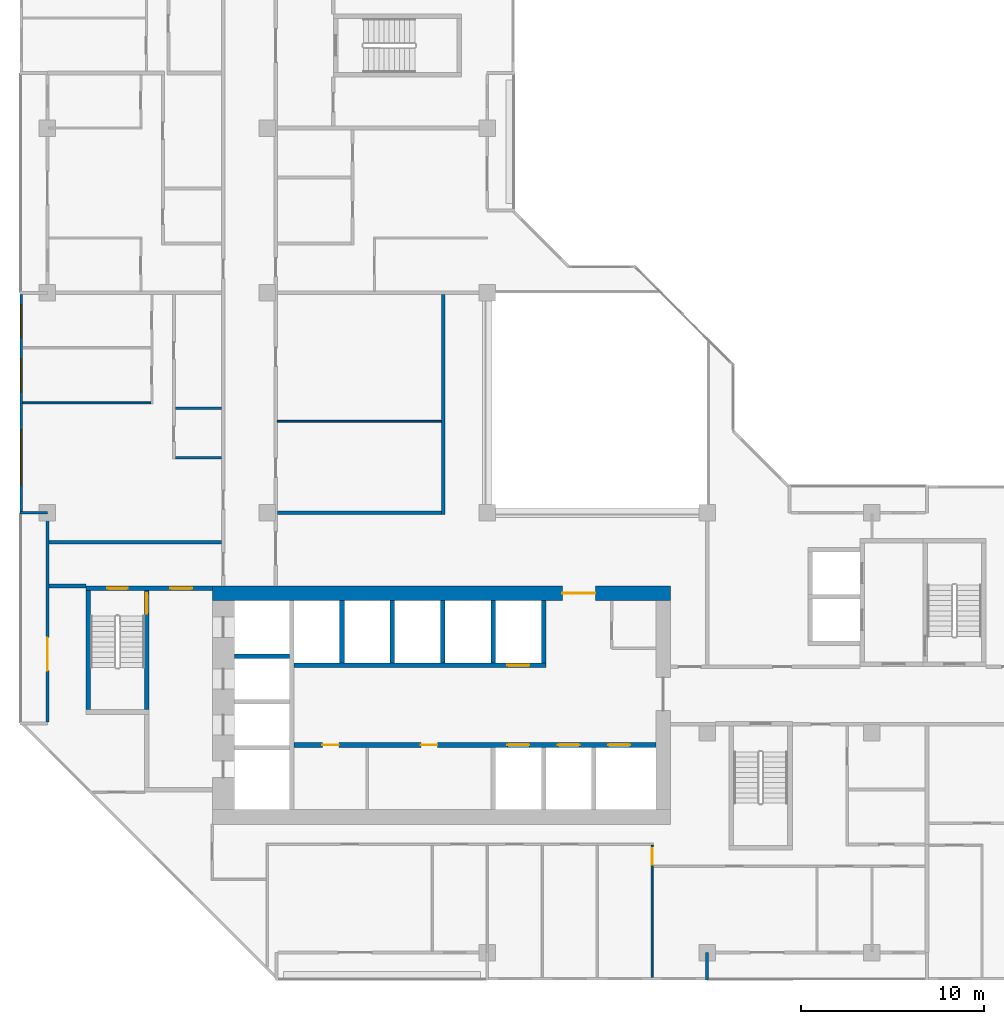
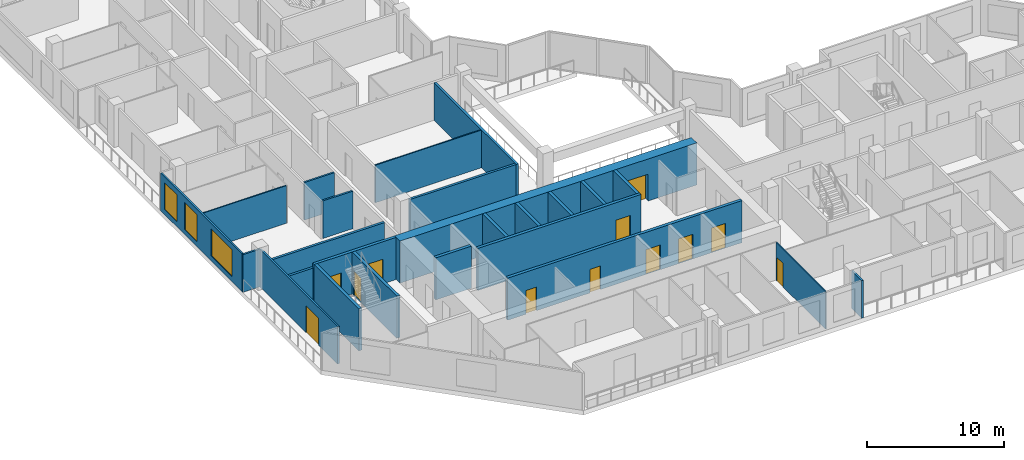
# One storey, part 5 of 14: 25 walls, 12 doors, 3 windows, 15 openings.
"""IFC4 building model written with IfcOpenShell, lengths in metres."""

from ifc_helpers import new_model, si_unit, direction, frame, frame_2d, origin, place, context, subcontext, project, spatial, rectangle, extrude, material, layer, layer_set, type_object, element, fill, save


model = new_model("IFC4")

# Units and contexts
model_context = context("Model", 3, precision=1e-05, world=origin(), true_north=direction((0.0, 1.0)))
body_context = subcontext(model_context, "Body", "Model", "MODEL_VIEW")
ifc_project = project(units=[si_unit("LENGTHUNIT", "METRE"), si_unit("AREAUNIT", "SQUARE_METRE"), si_unit("VOLUMEUNIT", "CUBIC_METRE"), si_unit("PLANEANGLEUNIT", "RADIAN"), si_unit("MASSUNIT", "GRAM", prefix="KILO")], contexts=[model_context])

# Site, building, storey
site_placement = place(None, origin())
site = spatial("IfcSite", under=ifc_project, at=site_placement, CompositionType="ELEMENT")
building_placement = place(site_placement, origin())
building = spatial("IfcBuilding", under=site, at=building_placement, Name="Chenar Terraces", CompositionType="ELEMENT")
storey_placement = place(building_placement, frame((0.0, 0.0, 183.64990234375)))
storey = spatial("IfcBuildingStorey", under=building, at=storey_placement, Name="L42", CompositionType="ELEMENT", Elevation=183.64990234375)

# Wall, openings, doors
ifc_material_1 = material(Name="Concrete C60/75", Category="concrete")
ifc_layer_1 = layer(ifc_material_1, 0.25)
ifc_layer_set_1 = layer_set([ifc_layer_1], Name="Concrete C60/75")
wall_type_1 = type_object("IfcWallType", Name="Core wall 250 Concrete C60/75", PredefinedType="SHEAR", material=ifc_layer_set_1)
wall_1_placement = place(storey_placement, frame((13.449951171875, 11.324951171875, 0.0), z_axis=(0.0, 0.0, 1.0), x_axis=(1.0, 0.0, 0.0)))
wall_1 = element("IfcWall", 1, at=wall_1_placement, inside=storey, type_object=wall_type_1, Name="Core wall SF L42", PredefinedType="SHEAR", context=body_context, shape_type="SweptSolid", body=[
    extrude(rectangle(XDim=19.75, YDim=0.25, at=frame_2d((9.875, 0.0))), origin(), (0.0, 0.0, 1.0), 3.75),
])
opening_1_placement = place(wall_1_placement, frame((11.64990234375, 0.0, 0.0)))
opening_1 = element("IfcOpeningElement", 2, at=opening_1_placement, cuts=wall_1, Name="Opening DL42-LD1", PredefinedType="OPENING", context=body_context, shape_type="SweptSolid", body=[
    extrude(rectangle(XDim=1.199951171875, YDim=2.199951171875, at=frame_2d((0.60009765625, 1.10009765625))), frame((0.0, 0.135009765625, 0.0), z_axis=(0.0, -1.0, 0.0), x_axis=(1.0, 0.0, 0.0)), (0.0, 0.0, 1.0), 0.27001953125),
])
opening_2_placement = place(wall_1_placement, frame((14.39990234375, 0.0, 0.0)))
opening_2 = element("IfcOpeningElement", 3, at=opening_2_placement, cuts=wall_1, Name="Opening DL42-LD2", PredefinedType="OPENING", context=body_context, shape_type="SweptSolid", body=[
    extrude(rectangle(XDim=1.199951171875, YDim=2.199951171875, at=frame_2d((0.60009765625, 1.10009765625))), frame((0.0, 0.135009765625, 0.0), z_axis=(0.0, -1.0, 0.0), x_axis=(1.0, 0.0, 0.0)), (0.0, 0.0, 1.0), 0.27001953125),
])
opening_3_placement = place(wall_1_placement, frame((17.14990234375, 0.0, 0.0)))
opening_3 = element("IfcOpeningElement", 4, at=opening_3_placement, cuts=wall_1, Name="Opening DL42-LD3", PredefinedType="OPENING", context=body_context, shape_type="SweptSolid", body=[
    extrude(rectangle(XDim=1.199951171875, YDim=2.199951171875, at=frame_2d((0.60009765625, 1.10009765625))), frame((0.0, 0.135009765625, 0.0), z_axis=(0.0, -1.0, 0.0), x_axis=(1.0, 0.0, 0.0)), (0.0, 0.0, 1.0), 0.27001953125),
])
opening_4_placement = place(wall_1_placement, frame((1.550048828125, 0.0, 0.0)))
opening_4 = element("IfcOpeningElement", 5, at=opening_4_placement, cuts=wall_1, Name="Opening DL42-C12", PredefinedType="OPENING", context=body_context, shape_type="SweptSolid", body=[
    extrude(rectangle(XDim=0.89990234375, YDim=2.10009765625, at=frame_2d((0.449951171875, 1.050048828125))), frame((0.0, 0.135009765625, 0.0), z_axis=(0.0, -1.0, 0.0), x_axis=(1.0, 0.0, 0.0)), (0.0, 0.0, 1.0), 0.27001953125),
])
opening_5_placement = place(wall_1_placement, frame((6.925048828125, 0.0, 0.0)))
opening_5 = element("IfcOpeningElement", 6, at=opening_5_placement, cuts=wall_1, Name="Opening DL42-C13", PredefinedType="OPENING", context=body_context, shape_type="SweptSolid", body=[
    extrude(rectangle(XDim=0.89990234375, YDim=2.10009765625, at=frame_2d((0.449951171875, 1.050048828125))), frame((0.0, 0.135009765625, 0.0), z_axis=(0.0, -1.0, 0.0), x_axis=(1.0, 0.0, 0.0)), (0.0, 0.0, 1.0), 0.27001953125),
])
ifc_material_2 = material(Name="Stainless steel", Category="steel")
door_type_1 = type_object("IfcDoorType", Name="Lift landing door 1200 x 2200 sliding", OperationType="DOUBLE_DOOR_SLIDING", PredefinedType="DOOR", material=ifc_material_2)
door_1_placement = place(opening_1_placement, origin())
door_1 = element("IfcDoor", 7, at=door_1_placement, inside=storey, type_object=door_type_1, Name="Landing door M1", OperationType="DOUBLE_DOOR_SLIDING", OverallHeight=2.199951171875, OverallWidth=1.199951171875, PredefinedType="DOOR", context=body_context, shape_type="SweptSolid", body=[
    extrude(rectangle(XDim=1.199951171875, YDim=2.199951171875, at=frame_2d((0.60009765625, 1.10009765625))), frame((0.0, 0.02490234375, 0.0), z_axis=(0.0, -1.0, 0.0), x_axis=(1.0, 0.0, 0.0)), (0.0, 0.0, 1.0), 0.050048828125),
])
fill(opening_1, door_1)
door_2_placement = place(opening_2_placement, origin())
door_2 = element("IfcDoor", 8, at=door_2_placement, inside=storey, type_object=door_type_1, Name="Landing door M2", OperationType="DOUBLE_DOOR_SLIDING", OverallHeight=2.199951171875, OverallWidth=1.199951171875, PredefinedType="DOOR", context=body_context, shape_type="SweptSolid", body=[
    extrude(rectangle(XDim=1.199951171875, YDim=2.199951171875, at=frame_2d((0.60009765625, 1.10009765625))), frame((0.0, 0.02490234375, 0.0), z_axis=(0.0, -1.0, 0.0), x_axis=(1.0, 0.0, 0.0)), (0.0, 0.0, 1.0), 0.050048828125),
])
fill(opening_2, door_2)
door_3_placement = place(opening_3_placement, origin())
door_3 = element("IfcDoor", 9, at=door_3_placement, inside=storey, type_object=door_type_1, Name="Landing door M3", OperationType="DOUBLE_DOOR_SLIDING", OverallHeight=2.199951171875, OverallWidth=1.199951171875, PredefinedType="DOOR", context=body_context, shape_type="SweptSolid", body=[
    extrude(rectangle(XDim=1.199951171875, YDim=2.199951171875, at=frame_2d((0.60009765625, 1.10009765625))), frame((0.0, 0.02490234375, 0.0), z_axis=(0.0, -1.0, 0.0), x_axis=(1.0, 0.0, 0.0)), (0.0, 0.0, 1.0), 0.050048828125),
])
fill(opening_3, door_3)
ifc_material_3 = material(Name="Steel-framed fire-resisting door leaf", Category="steel")
door_type_2 = type_object("IfcDoorType", Name="Riser fire door FD60 900 x 2100", OperationType="SINGLE_SWING_LEFT", PredefinedType="DOOR", material=ifc_material_3)
door_4_placement = place(opening_4_placement, frame((0.89990234375, 0.0, 0.0), z_axis=(0.0, 0.0, 1.0), x_axis=(-1.0, 0.0, 0.0)))
door_4 = element("IfcDoor", 10, at=door_4_placement, inside=storey, type_object=door_type_2, Name="Core room door DL42-C12", OperationType="SINGLE_SWING_LEFT", OverallHeight=2.10009765625, OverallWidth=0.89990234375, PredefinedType="DOOR", context=body_context, shape_type="SweptSolid", body=[
    extrude(rectangle(XDim=0.89990234375, YDim=2.10009765625, at=frame_2d((0.449951171875, 1.050048828125))), frame((0.0, 0.02490234375, 0.0), z_axis=(0.0, -1.0, 0.0), x_axis=(1.0, 0.0, 0.0)), (0.0, 0.0, 1.0), 0.050048828125),
])
fill(opening_4, door_4)
door_5_placement = place(opening_5_placement, frame((0.89990234375, 0.0, 0.0), z_axis=(0.0, 0.0, 1.0), x_axis=(-1.0, 0.0, 0.0)))
door_5 = element("IfcDoor", 11, at=door_5_placement, inside=storey, type_object=door_type_2, Name="Core room door DL42-C13", OperationType="SINGLE_SWING_RIGHT", OverallHeight=2.10009765625, OverallWidth=0.89990234375, PredefinedType="DOOR", context=body_context, shape_type="SweptSolid", body=[
    extrude(rectangle(XDim=0.89990234375, YDim=2.10009765625, at=frame_2d((0.449951171875, 1.050048828125))), frame((0.0, 0.02490234375, 0.0), z_axis=(0.0, -1.0, 0.0), x_axis=(1.0, 0.0, 0.0)), (0.0, 0.0, 1.0), 0.050048828125),
])
fill(opening_5, door_5)

# Wall, opening, door
wall_2_placement = place(storey_placement, frame((13.449951171875, 15.675048828125, 0.0), z_axis=(0.0, 0.0, 1.0), x_axis=(1.0, 0.0, 0.0)))
wall_2 = element("IfcWall", 12, at=wall_2_placement, inside=storey, type_object=wall_type_1, Name="Core wall NF L42", PredefinedType="SHEAR", context=body_context, shape_type="SweptSolid", body=[
    extrude(rectangle(XDim=13.75, YDim=0.25, at=frame_2d((6.875, 0.0))), origin(), (0.0, 0.0, 1.0), 3.75),
])
opening_6_placement = place(wall_2_placement, frame((11.64990234375, 0.0, 0.0)))
opening_6 = element("IfcOpeningElement", 13, at=opening_6_placement, cuts=wall_2, Name="Opening DL42-LD4", PredefinedType="OPENING", context=body_context, shape_type="SweptSolid", body=[
    extrude(rectangle(XDim=1.199951171875, YDim=2.199951171875, at=frame_2d((0.60009765625, 1.10009765625))), frame((0.0, 0.135009765625, 0.0), z_axis=(0.0, -1.0, 0.0), x_axis=(1.0, 0.0, 0.0)), (0.0, 0.0, 1.0), 0.27001953125),
])
door_6_placement = place(opening_6_placement, origin())
door_6 = element("IfcDoor", 14, at=door_6_placement, inside=storey, type_object=door_type_1, Name="Landing door M4", OperationType="DOUBLE_DOOR_SLIDING", OverallHeight=2.199951171875, OverallWidth=1.199951171875, PredefinedType="DOOR", context=body_context, shape_type="SweptSolid", body=[
    extrude(rectangle(XDim=1.199951171875, YDim=2.199951171875, at=frame_2d((0.60009765625, 1.10009765625))), frame((0.0, 0.02490234375, 0.0), z_axis=(0.0, -1.0, 0.0), x_axis=(1.0, 0.0, 0.0)), (0.0, 0.0, 1.0), 0.050048828125),
])
fill(opening_6, door_6)

# Walls
wall_3_placement = place(storey_placement, frame((10.199951171875, 16.175048828125, 0.0), z_axis=(0.0, 0.0, 1.0), x_axis=(1.0, 0.0, 0.0)))
element("IfcWall", 15, at=wall_3_placement, inside=storey, type_object=wall_type_1, Name="Core wall HW2 L42", PredefinedType="SHEAR", context=body_context, shape_type="SweptSolid", body=[
    extrude(rectangle(XDim=3.0, YDim=0.25, at=frame_2d((1.5, 0.0))), origin(), (0.0, 0.0, 1.0), 3.75),
])
for number, where, z_axis, x_axis, name in (
    (16, (16.074951171875, 15.800048828125, 0.0), (0.0, 0.0, 1.0), (0.0, 1.0, 0.0), "Core wall NS0 L42"),
    (17, (18.824951171875, 15.800048828125, 0.0), (0.0, 0.0, 1.0), (0.0, 1.0, 0.0), "Core wall NS1 L42"),
    (18, (21.574951171875, 15.800048828125, 0.0), (0.0, 0.0, 1.0), (0.0, 1.0, 0.0), "Core wall NS2 L42"),
    (19, (24.324951171875, 15.800048828125, 0.0), (0.0, 0.0, 1.0), (0.0, 1.0, 0.0), "Core wall NS3 L42"),
    (20, (27.074951171875, 15.800048828125, 0.0), (0.0, 0.0, 1.0), (0.0, 1.0, 0.0), "Core wall NE L42"),
):
    element("IfcWall", number, at=place(storey_placement, frame(where, z_axis=z_axis, x_axis=x_axis)), inside=storey, type_object=wall_type_1, Name=name, PredefinedType="SHEAR", context=body_context, shape_type="SweptSolid", body=[
        extrude(rectangle(XDim=3.39990234375, YDim=0.25, at=frame_2d((1.699951171875, 0.0))), origin(), (0.0, 0.0, 1.0), 3.75),
    ])

# Wall, openings, doors
wall_4_placement = place(storey_placement, frame((2.10009765625, 19.875, 0.0), z_axis=(0.0, 0.0, 1.0), x_axis=(1.0, 0.0, 0.0)))
wall_4 = element("IfcWall", 21, at=wall_4_placement, inside=storey, type_object=wall_type_1, Name="Core wall A_N L42", PredefinedType="SHEAR", context=body_context, shape_type="SweptSolid", body=[
    extrude(rectangle(XDim=6.89990234375, YDim=0.25, at=frame_2d((3.449951171875, 0.0))), origin(), (0.0, 0.0, 1.0), 3.75),
])
opening_7_placement = place(wall_4_placement, frame((1.175048828125, 0.0, 0.0)))
opening_7 = element("IfcOpeningElement", 22, at=opening_7_placement, cuts=wall_4, Name="Opening DL42-C5", PredefinedType="OPENING", context=body_context, shape_type="SweptSolid", body=[
    extrude(rectangle(XDim=1.10009765625, YDim=2.199951171875, at=frame_2d((0.550048828125, 1.10009765625))), frame((0.0, 0.135009765625, 0.0), z_axis=(0.0, -1.0, 0.0), x_axis=(1.0, 0.0, 0.0)), (0.0, 0.0, 1.0), 0.27001953125),
])
opening_8_placement = place(wall_4_placement, frame((4.60009765625, 0.0, 0.0)))
opening_8 = element("IfcOpeningElement", 23, at=opening_8_placement, cuts=wall_4, Name="Opening DL42-C6", PredefinedType="OPENING", context=body_context, shape_type="SweptSolid", body=[
    extrude(rectangle(XDim=1.199951171875, YDim=2.199951171875, at=frame_2d((0.60009765625, 1.10009765625))), frame((0.0, 0.135009765625, 0.0), z_axis=(0.0, -1.0, 0.0), x_axis=(1.0, 0.0, 0.0)), (0.0, 0.0, 1.0), 0.27001953125),
])
ifc_material_4 = material(Name="Steel-framed fire-resisting door leaf", Category="steel")
door_type_3 = type_object("IfcDoorType", Name="Lobby fire door FD60 1200 x 2200", OperationType="SINGLE_SWING_LEFT", PredefinedType="DOOR", material=ifc_material_4)
door_7_placement = place(opening_8_placement, frame((1.199951171875, 0.0, 0.0), z_axis=(0.0, 0.0, 1.0), x_axis=(-1.0, 0.0, 0.0)))
door_7 = element("IfcDoor", 24, at=door_7_placement, inside=storey, type_object=door_type_3, Name="Core door DL42-C6", OperationType="SINGLE_SWING_LEFT", OverallHeight=2.199951171875, OverallWidth=1.199951171875, PredefinedType="DOOR", context=body_context, shape_type="SweptSolid", body=[
    extrude(rectangle(XDim=1.199951171875, YDim=2.199951171875, at=frame_2d((0.60009765625, 1.10009765625))), frame((0.0, 0.02490234375, 0.0), z_axis=(0.0, -1.0, 0.0), x_axis=(1.0, 0.0, 0.0)), (0.0, 0.0, 1.0), 0.050048828125),
])
fill(opening_8, door_7)
ifc_material_5 = material(Name="Steel-framed fire-resisting door leaf", Category="steel")
door_type_4 = type_object("IfcDoorType", Name="Stair fire door FD60 1100 x 2200", OperationType="SINGLE_SWING_LEFT", PredefinedType="DOOR", material=ifc_material_5)
door_8_placement = place(opening_7_placement, origin())
door_8 = element("IfcDoor", 25, at=door_8_placement, inside=storey, type_object=door_type_4, Name="Stair door DL42-C5", OperationType="SINGLE_SWING_LEFT", OverallHeight=2.199951171875, OverallWidth=1.10009765625, PredefinedType="DOOR", context=body_context, shape_type="SweptSolid", body=[
    extrude(rectangle(XDim=1.10009765625, YDim=2.199951171875, at=frame_2d((0.550048828125, 1.10009765625))), frame((0.0, 0.02490234375, 0.0), z_axis=(0.0, -1.0, 0.0), x_axis=(1.0, 0.0, 0.0)), (0.0, 0.0, 1.0), 0.050048828125),
])
fill(opening_7, door_8)

# Wall
wall_5_placement = place(storey_placement, frame((2.22509765625, 13.25, 0.0), z_axis=(0.0, 0.0, 1.0), x_axis=(0.0, 1.0, 0.0)))
element("IfcWall", 26, at=wall_5_placement, inside=storey, type_object=wall_type_1, Name="Core wall ST1_W L42", PredefinedType="SHEAR", context=body_context, shape_type="SweptSolid", body=[
    extrude(rectangle(XDim=6.5, YDim=0.25, at=frame_2d((3.25, 0.0))), origin(), (0.0, 0.0, 1.0), 3.75),
])

# Wall, opening, door
wall_6_placement = place(storey_placement, frame((5.425048828125, 13.25, 0.0), z_axis=(0.0, 0.0, 1.0), x_axis=(0.0, 1.0, 0.0)))
wall_6 = element("IfcWall", 27, at=wall_6_placement, inside=storey, type_object=wall_type_1, Name="Core wall ST1_E L42", PredefinedType="SHEAR", context=body_context, shape_type="SweptSolid", body=[
    extrude(rectangle(XDim=6.5, YDim=0.25, at=frame_2d((3.25, 0.0))), origin(), (0.0, 0.0, 1.0), 3.75),
])
opening_9_placement = place(wall_6_placement, frame((5.25, 0.0, 0.0)))
opening_9 = element("IfcOpeningElement", 28, at=opening_9_placement, cuts=wall_6, Name="Opening DL42-C3", PredefinedType="OPENING", context=body_context, shape_type="SweptSolid", body=[
    extrude(rectangle(XDim=1.10009765625, YDim=2.199951171875, at=frame_2d((0.550048828125, 1.10009765625))), frame((0.0, 0.135009765625, 0.0), z_axis=(0.0, -1.0, 0.0), x_axis=(1.0, 0.0, 0.0)), (0.0, 0.0, 1.0), 0.27001953125),
])
door_9_placement = place(opening_9_placement, origin())
door_9 = element("IfcDoor", 29, at=door_9_placement, inside=storey, type_object=door_type_4, Name="Stair door DL42-C3", OperationType="SINGLE_SWING_RIGHT", OverallHeight=2.199951171875, OverallWidth=1.10009765625, PredefinedType="DOOR", context=body_context, shape_type="SweptSolid", body=[
    extrude(rectangle(XDim=1.10009765625, YDim=2.199951171875, at=frame_2d((0.550048828125, 1.10009765625))), frame((0.0, 0.02490234375, 0.0), z_axis=(0.0, -1.0, 0.0), x_axis=(1.0, 0.0, 0.0)), (0.0, 0.0, 1.0), 0.050048828125),
])
fill(opening_9, door_9)

ifc_material_6 = material(Name="Concrete C60/75", Category="concrete")
ifc_layer_2 = layer(ifc_material_6, 0.800048828125)
ifc_layer_set_2 = layer_set([ifc_layer_2], Name="Concrete C60/75")
wall_type_2 = type_object("IfcWallType", Name="Core wall 800 Concrete C60/75", PredefinedType="SHEAR", material=ifc_layer_set_2)
wall_7_placement = place(storey_placement, frame((9.0, 19.60009765625, 0.0), z_axis=(0.0, 0.0, 1.0), x_axis=(1.0, 0.0, 0.0)))
wall_7 = element("IfcWall", 30, at=wall_7_placement, inside=storey, type_object=wall_type_2, Name="Core wall N L42", PredefinedType="SHEAR", context=body_context, shape_type="SweptSolid", body=[
    extrude(rectangle(XDim=25.0, YDim=0.800048828125, at=frame_2d((12.5, 0.0))), origin(), (0.0, 0.0, 1.0), 3.75),
])
opening_10_placement = place(wall_7_placement, frame((19.10009765625, 0.0, 0.0)))
opening_10 = element("IfcOpeningElement", 31, at=opening_10_placement, cuts=wall_7, Name="Opening DL42-C2", PredefinedType="OPENING", context=body_context, shape_type="SweptSolid", body=[
    extrude(rectangle(XDim=1.800048828125, YDim=2.39990234375, at=frame_2d((0.89990234375, 1.199951171875))), frame((0.0, 0.409912109375, 0.0), z_axis=(0.0, -1.0, 0.0), x_axis=(1.0, 0.0, 0.0)), (0.0, 0.0, 1.0), 0.820068359375),
])
ifc_material_7 = material(Name="Steel-framed fire-resisting door leaf", Category="steel")
door_type_5 = type_object("IfcDoorType", Name="Core entrance double fire door FD60 1800 x 2400", OperationType="DOUBLE_DOOR_SINGLE_SWING", PredefinedType="DOOR", material=ifc_material_7)
door_10_placement = place(opening_10_placement, frame((1.800048828125, 0.0, 0.0), z_axis=(0.0, 0.0, 1.0), x_axis=(-1.0, 0.0, 0.0)))
door_10 = element("IfcDoor", 32, at=door_10_placement, inside=storey, type_object=door_type_5, Name="Core door DL42-C2", OperationType="DOUBLE_DOOR_SINGLE_SWING", OverallHeight=2.39990234375, OverallWidth=1.800048828125, PredefinedType="DOOR", context=body_context, shape_type="SweptSolid", body=[
    extrude(rectangle(XDim=1.800048828125, YDim=2.39990234375, at=frame_2d((0.89990234375, 1.199951171875))), frame((0.0, 0.02490234375, 0.0), z_axis=(0.0, -1.0, 0.0), x_axis=(1.0, 0.0, 0.0)), (0.0, 0.0, 1.0), 0.050048828125),
])
fill(opening_10, door_10)

# Walls
ifc_material_8 = material(Name="Gypsum board on steel studs with fire boards", Category="steel")
ifc_layer_3 = layer(ifc_material_8, 0.199951171875)
ifc_layer_set_3 = layer_set([ifc_layer_3], Name="Gypsum board on steel studs with fire boards")
wall_type_3 = type_object("IfcWallType", Name="Corridor wall 200", PredefinedType="PARTITIONING", material=ifc_layer_set_3)
wall_8_placement = place(storey_placement, frame((0.073974609375, 20.0, 0.0), z_axis=(0.0, 0.0, 1.0), x_axis=(1.0, 0.0, 0.0)))
element("IfcWall", 33, at=wall_8_placement, inside=storey, type_object=wall_type_3, Name="Partition L42-008", PredefinedType="PARTITIONING", context=body_context, shape_type="SweptSolid", body=[
    extrude(rectangle(XDim=2.026123046875, YDim=0.199951171875, at=frame_2d((1.01318359375, 0.0))), origin(), (0.0, 0.0, 1.0), 3.35009765625),
])
wall_9_placement = place(storey_placement, frame((0.073974609375, 22.39990234375, 0.0), z_axis=(0.0, 0.0, 1.0), x_axis=(1.0, 0.0, 0.0)))
element("IfcWall", 34, at=wall_9_placement, inside=storey, type_object=wall_type_3, Name="Partition L42-009", PredefinedType="PARTITIONING", context=body_context, shape_type="SweptSolid", body=[
    extrude(rectangle(XDim=9.426025390625, YDim=0.199951171875, at=frame_2d((4.712890625, 0.0))), origin(), (0.0, 0.0, 1.0), 3.35009765625),
])
wall_10_placement = place(storey_placement, frame((12.550048828125, 24.0, 0.0), z_axis=(0.0, 0.0, 1.0), x_axis=(1.0, 0.0, 0.0)))
element("IfcWall", 35, at=wall_10_placement, inside=storey, type_object=wall_type_3, Name="Partition L42-035", PredefinedType="PARTITIONING", context=body_context, shape_type="SweptSolid", body=[
    extrude(rectangle(XDim=8.949951171875, YDim=0.199951171875, at=frame_2d((4.47509765625, 0.0))), origin(), (0.0, 0.0, 1.0), 3.35009765625),
])
wall_11_placement = place(storey_placement, frame((21.60009765625, 23.89990234375, 0.0), z_axis=(0.0, 0.0, 1.0), x_axis=(0.0, 1.0, 0.0)))
element("IfcWall", 36, at=wall_11_placement, inside=storey, type_object=wall_type_3, Name="Partition L42-053", PredefinedType="PARTITIONING", context=body_context, shape_type="SweptSolid", body=[
    extrude(rectangle(XDim=12.0, YDim=0.199951171875, at=frame_2d((6.0, 0.0))), origin(), (0.0, 0.0, 1.0), 3.35009765625),
])

# Wall, openings, windows
ifc_material_9 = material(Name="Aluminium framed glazing", Category="aluminium")
ifc_layer_4 = layer(ifc_material_9, 0.14990234375)
ifc_layer_set_4 = layer_set([ifc_layer_4], Name="Aluminium framed glazing")
wall_type_4 = type_object("IfcWallType", Name="Glazed flush facade wall 150", PredefinedType="SOLIDWALL", material=ifc_layer_set_4)
wall_12_placement = place(storey_placement, frame((-1.425048828125, 35.925048828125, 0.0), z_axis=(0.0, 0.0, 1.0), x_axis=(0.0, -1.0, 0.0)))
wall_12 = element("IfcWall", 37, at=wall_12_placement, inside=storey, type_object=wall_type_4, Name="Glazed flush facade wall", PredefinedType="SOLIDWALL", context=body_context, shape_type="SweptSolid", body=[
    extrude(rectangle(XDim=11.85009765625, YDim=0.14990234375, at=frame_2d((5.925048828125, 0.0))), origin(), (0.0, 0.0, 1.0), 3.35009765625),
])
opening_11_placement = place(wall_12_placement, frame((0.5625, 0.0, 0.449951171875)))
opening_11 = element("IfcOpeningElement", 38, at=opening_11_placement, cuts=wall_12, Name="Opening W180x240", PredefinedType="OPENING", context=body_context, shape_type="SweptSolid", body=[
    extrude(rectangle(XDim=1.800048828125, YDim=2.39990234375, at=frame_2d((0.89990234375, 1.199951171875))), frame((0.0, 0.0849609375, 0.0), z_axis=(0.0, -1.0, 0.0), x_axis=(1.0, 0.0, 0.0)), (0.0, 0.0, 1.0), 0.169921875),
])
opening_12_placement = place(wall_12_placement, frame((3.52490234375, 0.0, 0.449951171875)))
opening_12 = element("IfcOpeningElement", 39, at=opening_12_placement, cuts=wall_12, Name="Opening W180x240", PredefinedType="OPENING", context=body_context, shape_type="SweptSolid", body=[
    extrude(rectangle(XDim=1.800048828125, YDim=2.39990234375, at=frame_2d((0.89990234375, 1.199951171875))), frame((0.0, 0.0849609375, 0.0), z_axis=(0.0, -1.0, 0.0), x_axis=(1.0, 0.0, 0.0)), (0.0, 0.0, 1.0), 0.169921875),
])
opening_13_placement = place(wall_12_placement, frame((7.387451171875, 0.0, 0.449951171875)))
opening_13 = element("IfcOpeningElement", 40, at=opening_13_placement, cuts=wall_12, Name="Opening W300x240", PredefinedType="OPENING", context=body_context, shape_type="SweptSolid", body=[
    extrude(rectangle(XDim=3.0, YDim=2.39990234375, at=frame_2d((1.5, 1.199951171875))), frame((0.0, 0.0849609375, 0.0), z_axis=(0.0, -1.0, 0.0), x_axis=(1.0, 0.0, 0.0)), (0.0, 0.0, 1.0), 0.169921875),
])
ifc_material_10 = material(Name="Low emissivity double glazing, aluminium frame", Category="aluminium")
window_type_1 = type_object("IfcWindowType", Name="Fixed light 1800 x 2400", PartitioningType="SINGLE_PANEL", PredefinedType="WINDOW", material=ifc_material_10)
window_1_placement = place(opening_11_placement, origin())
window_1 = element("IfcWindow", 41, at=window_1_placement, inside=storey, type_object=window_type_1, Name="Window", OverallHeight=2.39990234375, OverallWidth=1.800048828125, PartitioningType="SINGLE_PANEL", PredefinedType="WINDOW", context=body_context, shape_type="SweptSolid", body=[
    extrude(rectangle(XDim=1.800048828125, YDim=2.39990234375, at=frame_2d((0.89990234375, 1.199951171875))), frame((0.0, 0.030029296875, 0.0), z_axis=(0.0, -1.0, 0.0), x_axis=(1.0, 0.0, 0.0)), (0.0, 0.0, 1.0), 0.06005859375),
])
fill(opening_11, window_1)
window_2_placement = place(opening_12_placement, origin())
window_2 = element("IfcWindow", 42, at=window_2_placement, inside=storey, type_object=window_type_1, Name="Window", OverallHeight=2.39990234375, OverallWidth=1.800048828125, PartitioningType="SINGLE_PANEL", PredefinedType="WINDOW", context=body_context, shape_type="SweptSolid", body=[
    extrude(rectangle(XDim=1.800048828125, YDim=2.39990234375, at=frame_2d((0.89990234375, 1.199951171875))), frame((0.0, 0.030029296875, 0.0), z_axis=(0.0, -1.0, 0.0), x_axis=(1.0, 0.0, 0.0)), (0.0, 0.0, 1.0), 0.06005859375),
])
fill(opening_12, window_2)
ifc_material_11 = material(Name="Low emissivity double glazing, aluminium frame", Category="aluminium")
window_type_2 = type_object("IfcWindowType", Name="Fixed light 3000 x 2400", PartitioningType="SINGLE_PANEL", PredefinedType="WINDOW", material=ifc_material_11)
window_3_placement = place(opening_13_placement, origin())
window_3 = element("IfcWindow", 43, at=window_3_placement, inside=storey, type_object=window_type_2, Name="Window", OverallHeight=2.39990234375, OverallWidth=3.0, PartitioningType="SINGLE_PANEL", PredefinedType="WINDOW", context=body_context, shape_type="SweptSolid", body=[
    extrude(rectangle(XDim=3.0, YDim=2.39990234375, at=frame_2d((1.5, 1.199951171875))), frame((0.0, 0.030029296875, 0.0), z_axis=(0.0, -1.0, 0.0), x_axis=(1.0, 0.0, 0.0)), (0.0, 0.0, 1.0), 0.06005859375),
])
fill(opening_13, window_3)

# Wall, opening, door
ifc_material_12 = material(Name="Aluminium framed glazing", Category="aluminium")
ifc_layer_5 = layer(ifc_material_12, 0.14990234375)
ifc_layer_set_5 = layer_set([ifc_layer_5], Name="Aluminium framed glazing")
wall_type_5 = type_object("IfcWallType", Name="Glazed loggia back wall 150", PredefinedType="SOLIDWALL", material=ifc_layer_set_5)
wall_13_placement = place(storey_placement, frame((0.0, 23.925048828125, 0.0), z_axis=(0.0, 0.0, 1.0), x_axis=(0.0, -1.0, 0.0)))
wall_13 = element("IfcWall", 44, at=wall_13_placement, inside=storey, type_object=wall_type_5, Name="Glazed loggia back wall", PredefinedType="SOLIDWALL", context=body_context, shape_type="SweptSolid", body=[
    extrude(rectangle(XDim=11.35009765625, YDim=0.14990234375, at=frame_2d((5.675048828125, 0.0))), origin(), (0.0, 0.0, 1.0), 3.35009765625),
])
opening_14_placement = place(wall_13_placement, frame((6.737548828125, 0.0, 0.0)))
opening_14 = element("IfcOpeningElement", 45, at=opening_14_placement, cuts=wall_13, Name="Opening DL42-G4", PredefinedType="OPENING", context=body_context, shape_type="SweptSolid", body=[
    extrude(rectangle(XDim=1.800048828125, YDim=2.39990234375, at=frame_2d((0.89990234375, 1.199951171875))), frame((0.0, 0.0849609375, 0.0), z_axis=(0.0, -1.0, 0.0), x_axis=(1.0, 0.0, 0.0)), (0.0, 0.0, 1.0), 0.169921875),
])
ifc_material_13 = material(Name="Low emissivity double glazing, aluminium frame", Category="aluminium")
door_type_6 = type_object("IfcDoorType", Name="Loggia glazed double door 1800 x 2400", OperationType="DOUBLE_DOOR_SINGLE_SWING", PredefinedType="DOOR", material=ifc_material_13)
door_11_placement = place(opening_14_placement, frame((1.800048828125, 0.0, 0.0), z_axis=(0.0, 0.0, 1.0), x_axis=(-1.0, 0.0, 0.0)))
door_11 = element("IfcDoor", 46, at=door_11_placement, inside=storey, type_object=door_type_6, Name="Loggia glazed door", OperationType="DOUBLE_DOOR_SINGLE_SWING", OverallHeight=2.39990234375, OverallWidth=1.800048828125, PredefinedType="DOOR", context=body_context, shape_type="SweptSolid", body=[
    extrude(rectangle(XDim=1.800048828125, YDim=2.39990234375, at=frame_2d((0.89990234375, 1.199951171875))), frame((0.0, 0.02490234375, 0.0), z_axis=(0.0, -1.0, 0.0), x_axis=(1.0, 0.0, 0.0)), (0.0, 0.0, 1.0), 0.050048828125),
])
fill(opening_14, door_11)

# Walls
ifc_material_14 = material(Name="Gypsum board on steel studs", Category="steel")
ifc_layer_6 = layer(ifc_material_14, 0.10009765625)
ifc_layer_set_6 = layer_set([ifc_layer_6], Name="Gypsum board on steel studs")
wall_type_6 = type_object("IfcWallType", Name="Gypsum partition 100", PredefinedType="PARTITIONING", material=ifc_layer_set_6)
wall_14_placement = place(storey_placement, frame((-1.35009765625, 30.0, 0.0), z_axis=(0.0, 0.0, 1.0), x_axis=(1.0, 0.0, 0.0)))
element("IfcWall", 47, at=wall_14_placement, inside=storey, type_object=wall_type_6, Name="Partition L42-002", PredefinedType="PARTITIONING", context=body_context, shape_type="SweptSolid", body=[
    extrude(rectangle(XDim=7.0, YDim=0.10009765625, at=frame_2d((3.5, 0.0))), origin(), (0.0, 0.0, 1.0), 3.35009765625),
])
wall_15_placement = place(storey_placement, frame((12.550048828125, 29.0, 0.0), z_axis=(0.0, 0.0, 1.0), x_axis=(1.0, 0.0, 0.0)))
element("IfcWall", 48, at=wall_15_placement, inside=storey, type_object=wall_type_6, Name="Partition L42-036", PredefinedType="PARTITIONING", context=body_context, shape_type="SweptSolid", body=[
    extrude(rectangle(XDim=8.949951171875, YDim=0.10009765625, at=frame_2d((4.47509765625, 0.0))), origin(), (0.0, 0.0, 1.0), 3.35009765625),
])

# Wall, opening, door
wall_16_placement = place(storey_placement, frame((33.0, -1.35009765625, 0.0), z_axis=(0.0, 0.0, 1.0), x_axis=(0.0, 1.0, 0.0)))
wall_16 = element("IfcWall", 49, at=wall_16_placement, inside=storey, type_object=wall_type_6, Name="Partition L42-057", PredefinedType="PARTITIONING", context=body_context, shape_type="SweptSolid", body=[
    extrude(rectangle(XDim=7.2001953125, YDim=0.10009765625, at=frame_2d((3.60009765625, 0.0))), origin(), (0.0, 0.0, 1.0), 3.35009765625),
])
opening_15_placement = place(wall_16_placement, frame((6.14990234375, 0.0, 0.0)))
opening_15 = element("IfcOpeningElement", 50, at=opening_15_placement, cuts=wall_16, Name="Opening DL42-44", PredefinedType="OPENING", context=body_context, shape_type="SweptSolid", body=[
    extrude(rectangle(XDim=0.89990234375, YDim=2.10009765625, at=frame_2d((0.449951171875, 1.050048828125))), frame((0.0, 0.06005859375, 0.0), z_axis=(0.0, -1.0, 0.0), x_axis=(1.0, 0.0, 0.0)), (0.0, 0.0, 1.0), 0.1201171875),
])
ifc_material_15 = material(Name="Veneered timber door leaf", Category="wood")
door_type_7 = type_object("IfcDoorType", Name="Door 900 x 2100", OperationType="SINGLE_SWING_LEFT", PredefinedType="DOOR", material=ifc_material_15)
door_12_placement = place(opening_15_placement, origin())
door_12 = element("IfcDoor", 51, at=door_12_placement, inside=storey, type_object=door_type_7, Name="Door DL42-44", OperationType="SINGLE_SWING_RIGHT", OverallHeight=2.10009765625, OverallWidth=0.89990234375, PredefinedType="DOOR", context=body_context, shape_type="SweptSolid", body=[
    extrude(rectangle(XDim=0.89990234375, YDim=2.10009765625, at=frame_2d((0.449951171875, 1.050048828125))), frame((0.0, 0.02490234375, 0.0), z_axis=(0.0, -1.0, 0.0), x_axis=(1.0, 0.0, 0.0)), (0.0, 0.0, 1.0), 0.050048828125),
])
fill(opening_15, door_12)

# Walls
ifc_material_16 = material(Name="Terracotta cladding on insulated backing", Category="masonry")
ifc_layer_7 = layer(ifc_material_16, 0.14990234375)
ifc_layer_set_7 = layer_set([ifc_layer_7], Name="Terracotta cladding on insulated backing")
wall_type_7 = type_object("IfcWallType", Name="Loggia return wall 150", PredefinedType="SOLIDWALL", material=ifc_layer_set_7)
for number, where, z_axis, x_axis, name in (
    (52, (-1.5, 24.0, 0.0), (0.0, 0.0, 1.0), (1.0, 0.0, 0.0), "Loggia return wall"),
    (53, (36.0, -1.5, 0.0), (0.0, 0.0, 1.0), (0.0, 1.0, 0.0), "Loggia return wall"),
):
    element("IfcWall", number, at=place(storey_placement, frame(where, z_axis=z_axis, x_axis=x_axis)), inside=storey, type_object=wall_type_7, Name=name, PredefinedType="SOLIDWALL", context=body_context, shape_type="SweptSolid", body=[
        extrude(rectangle(XDim=1.5, YDim=0.14990234375, at=frame_2d((0.75, 0.0))), origin(), (0.0, 0.0, 1.0), 3.35009765625),
    ])
ifc_material_17 = material(Name="Moisture-resistant gypsum board on steel studs", Category="steel")
ifc_layer_8 = layer(ifc_material_17, 0.14990234375)
ifc_layer_set_8 = layer_set([ifc_layer_8], Name="Moisture-resistant gypsum board on steel studs")
wall_type_8 = type_object("IfcWallType", Name="Wet-room partition 150", PredefinedType="PARTITIONING", material=ifc_layer_set_8)
for number, where, z_axis, x_axis, name in (
    (54, (6.97509765625, 27.0, 0.0), (0.0, 0.0, 1.0), (1.0, 0.0, 0.0), "Partition L42-027"),
    (55, (6.97509765625, 29.699951171875, 0.0), (0.0, 0.0, 1.0), (1.0, 0.0, 0.0), "Partition L42-028"),
):
    element("IfcWall", number, at=place(storey_placement, frame(where, z_axis=z_axis, x_axis=x_axis)), inside=storey, type_object=wall_type_8, Name=name, PredefinedType="PARTITIONING", context=body_context, shape_type="SweptSolid", body=[
        extrude(rectangle(XDim=2.52490234375, YDim=0.14990234375, at=frame_2d((1.262451171875, 0.0))), origin(), (0.0, 0.0, 1.0), 3.35009765625),
    ])

save(model, "model.ifc")
